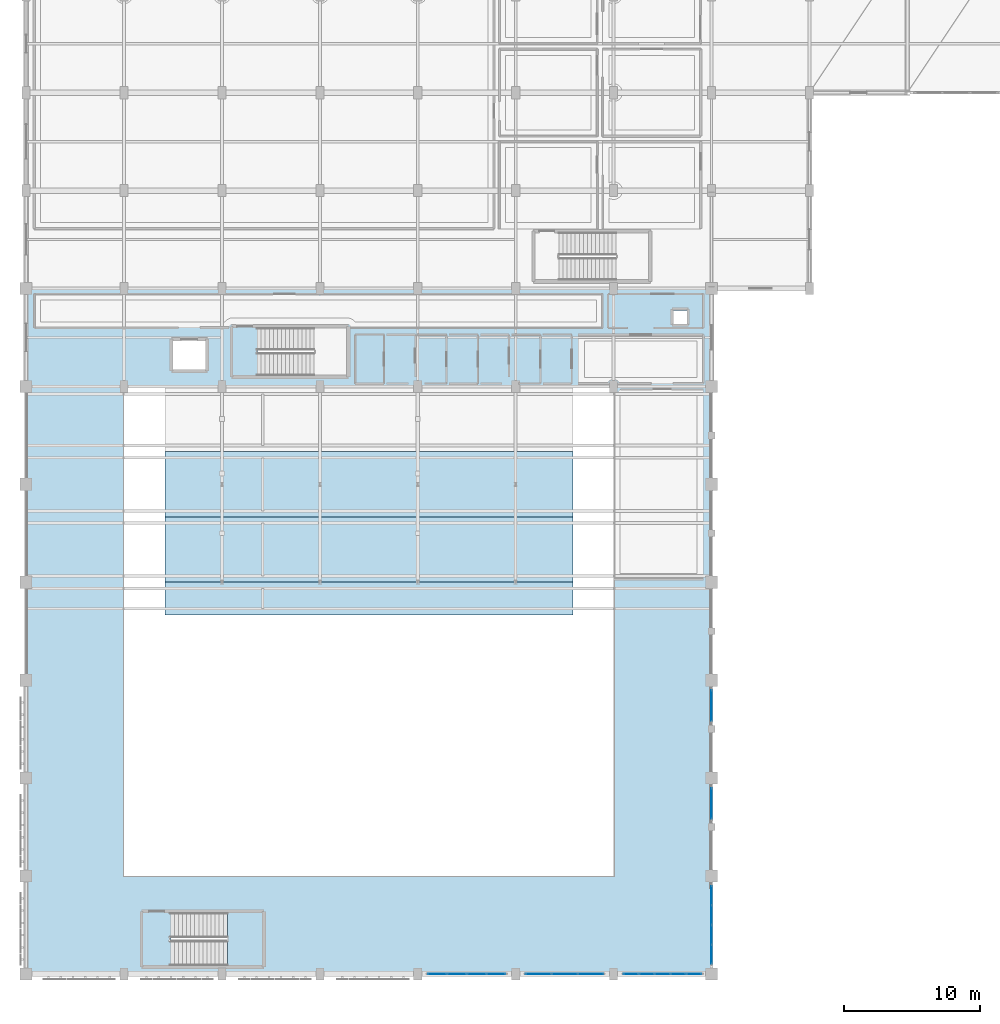
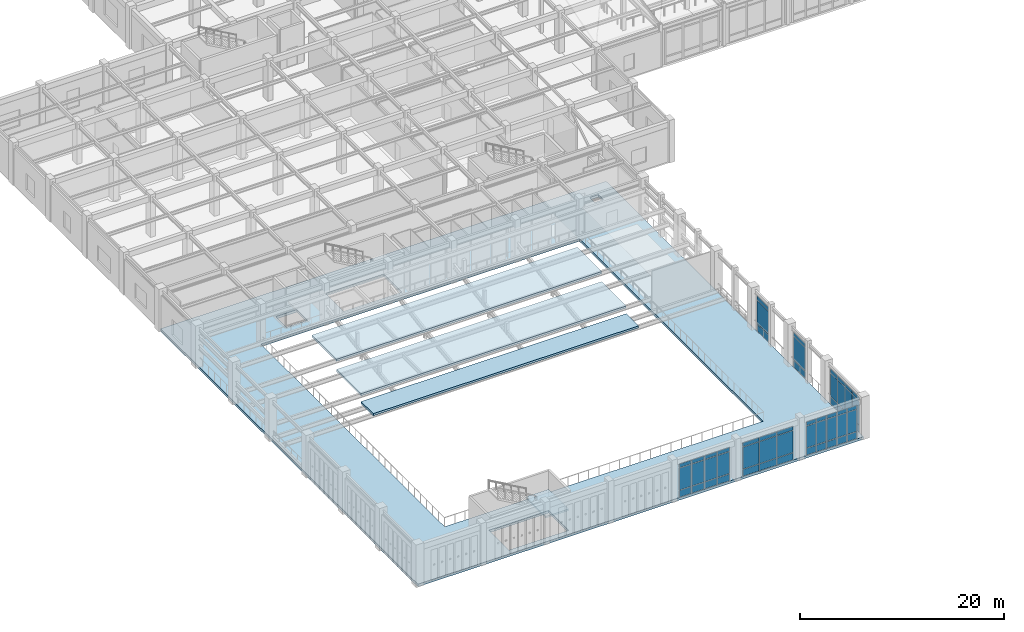
# One storey, part 68 of 117: 54 plates, 5 slabs, 7 elements without a shape of their own.
"""IFC4 building model written with IfcOpenShell, lengths in metres."""

from ifc_helpers import new_model, si_unit, direction, frame, origin, origin_2d, place, context, subcontext, project, spatial, polyline, rectangle, outline, extrude, material, layer, layer_set, type_object, element, aggregate, save


model = new_model("IFC4")

# Units and contexts
model_context = context("Model", 3, precision=1e-05, world=origin(), true_north=direction((0.0, 1.0)))
body_context = subcontext(model_context, "Body", "Model", "MODEL_VIEW")
ifc_project = project(units=[si_unit("LENGTHUNIT", "METRE"), si_unit("AREAUNIT", "SQUARE_METRE"), si_unit("VOLUMEUNIT", "CUBIC_METRE"), si_unit("PLANEANGLEUNIT", "RADIAN"), si_unit("MASSUNIT", "GRAM", prefix="KILO")], contexts=[model_context])

# Site, building, storey
site_placement = place(None, origin())
site = spatial("IfcSite", under=ifc_project, at=site_placement, CompositionType="ELEMENT")
building_placement = place(site_placement, origin())
building = spatial("IfcBuilding", under=site, at=building_placement, Name="Carrowvane Square Congress Hotel", CompositionType="ELEMENT")
storey_placement = place(building_placement, frame((0.0, 0.0, 5.39990234375)))
storey = spatial("IfcBuildingStorey", under=building, at=storey_placement, Name="L01", CompositionType="ELEMENT", Elevation=5.39990234375)

# Curtain wall, plates
ifc_material_1 = material(Name="Anodised aluminium", Category="aluminium")
ifc_layer_1 = layer(ifc_material_1, 0.221923828125)
ifc_layer_set_1 = layer_set([ifc_layer_1], Name="Anodised aluminium")
curtain_wall_type_1 = type_object("IfcCurtainWallType", Name="CW-SYS-6", PredefinedType="NOTDEFINED", material=ifc_layer_set_1)
curtain_wall_1_placement = place(storey_placement, origin())
curtain_wall_1 = element("IfcCurtainWall", 1, at=curtain_wall_1_placement, inside=storey, type_object=curtain_wall_type_1, Name="L01 unitised curtain wall 125", PredefinedType="NOTDEFINED")
ifc_material_2 = material(Name="Double-glazed low-E glass", Category="glass")
ifc_layer_2 = layer(ifc_material_2, 0.028076171875)
ifc_layer_set_2 = layer_set([ifc_layer_2], Name="Double-glazed low-E glass")
plate_type_1 = type_object("IfcPlateType", Name="CW-PAN-1", PredefinedType="CURTAIN_PANEL", material=ifc_layer_set_2)
plate_1_placement = place(storey_placement, frame((62.0, 17.925048828125, 0.070068359375), z_axis=(0.0, 0.0, 1.0), x_axis=(0.0, -1.0, 0.0)))
plate_1 = element("IfcPlate", 2, at=plate_1_placement, type_object=plate_type_1, Name="CW-6 panel 1.1", PredefinedType="CURTAIN_PANEL", context=body_context, shape_type="SweptSolid", body=[
    extrude(rectangle(XDim=2.22998046875, YDim=0.028076171875, at=origin_2d()), origin(), (0.0, 0.0, 1.0), 0.794921875),
])
plate_2_placement = place(storey_placement, frame((62.0, 17.925048828125, 0.93505859375), z_axis=(0.0, 0.0, 1.0), x_axis=(0.0, -1.0, 0.0)))
plate_2 = element("IfcPlate", 3, at=plate_2_placement, type_object=plate_type_1, Name="CW-6 panel 1.2", PredefinedType="CURTAIN_PANEL", context=body_context, shape_type="SweptSolid", body=[
    extrude(rectangle(XDim=2.22998046875, YDim=0.028076171875, at=origin_2d()), origin(), (0.0, 0.0, 1.0), 2.784912109375),
])
plate_3_placement = place(storey_placement, frame((62.0, 17.925048828125, 3.7900390625), z_axis=(0.0, 0.0, 1.0), x_axis=(0.0, -1.0, 0.0)))
plate_3 = element("IfcPlate", 4, at=plate_3_placement, type_object=plate_type_1, Name="CW-6 panel 1.3", PredefinedType="CURTAIN_PANEL", context=body_context, shape_type="SweptSolid", body=[
    extrude(rectangle(XDim=2.22998046875, YDim=0.028076171875, at=origin_2d()), origin(), (0.0, 0.0, 1.0), 0.445068359375),
])
aggregate(curtain_wall_1, [plate_1, plate_2, plate_3])

ifc_material_3 = material(Name="Anodised aluminium", Category="aluminium")
ifc_layer_3 = layer(ifc_material_3, 0.23388671875)
ifc_layer_set_3 = layer_set([ifc_layer_3], Name="Anodised aluminium")
curtain_wall_type_2 = type_object("IfcCurtainWallType", Name="CW-SYS-7", PredefinedType="NOTDEFINED", material=ifc_layer_set_3)
curtain_wall_2_placement = place(storey_placement, origin())
curtain_wall_2 = element("IfcCurtainWall", 5, at=curtain_wall_2_placement, inside=storey, type_object=curtain_wall_type_2, Name="L01 unitised curtain wall 126", PredefinedType="NOTDEFINED")
ifc_material_4 = material(Name="Double-glazed low-E glass", Category="glass")
ifc_layer_4 = layer(ifc_material_4, 0.031982421875)
ifc_layer_set_4 = layer_set([ifc_layer_4], Name="Double-glazed low-E glass")
plate_type_2 = type_object("IfcPlateType", Name="CW-PAN-2", PredefinedType="CURTAIN_PANEL", material=ifc_layer_set_4)
plate_4_placement = place(storey_placement, frame((62.0, 11.16748046875, 0.06005859375), z_axis=(0.0, 0.0, 1.0), x_axis=(0.0, -1.0, 0.0)))
plate_4 = element("IfcPlate", 6, at=plate_4_placement, type_object=plate_type_2, Name="CW-7 panel 1.1", PredefinedType="CURTAIN_PANEL", context=body_context, shape_type="SweptSolid", body=[
    extrude(rectangle(XDim=1.364990234375, YDim=0.031982421875, at=origin_2d()), origin(), (0.0, 0.0, 1.0), 0.81005859375),
])
plate_5_placement = place(storey_placement, frame((62.0, 11.16748046875, 0.93017578125), z_axis=(0.0, 0.0, 1.0), x_axis=(0.0, -1.0, 0.0)))
plate_5 = element("IfcPlate", 7, at=plate_5_placement, type_object=plate_type_2, Name="CW-7 panel 1.2", PredefinedType="CURTAIN_PANEL", context=body_context, shape_type="SweptSolid", body=[
    extrude(rectangle(XDim=1.364990234375, YDim=0.031982421875, at=origin_2d()), origin(), (0.0, 0.0, 1.0), 2.794921875),
])
plate_6_placement = place(storey_placement, frame((62.0, 11.16748046875, 3.78515625), z_axis=(0.0, 0.0, 1.0), x_axis=(0.0, -1.0, 0.0)))
plate_6 = element("IfcPlate", 8, at=plate_6_placement, type_object=plate_type_2, Name="CW-7 panel 1.3", PredefinedType="CURTAIN_PANEL", context=body_context, shape_type="SweptSolid", body=[
    extrude(rectangle(XDim=1.364990234375, YDim=0.031982421875, at=origin_2d()), origin(), (0.0, 0.0, 1.0), 0.4599609375),
])
plate_7_placement = place(storey_placement, frame((62.0, 9.7275390625, 0.06005859375), z_axis=(0.0, 0.0, 1.0), x_axis=(0.0, -1.0, 0.0)))
plate_7 = element("IfcPlate", 9, at=plate_7_placement, type_object=plate_type_2, Name="CW-7 panel 2.1", PredefinedType="CURTAIN_PANEL", context=body_context, shape_type="SweptSolid", body=[
    extrude(rectangle(XDim=1.39501953125, YDim=0.031982421875, at=origin_2d()), origin(), (0.0, 0.0, 1.0), 0.81005859375),
])
plate_8_placement = place(storey_placement, frame((62.0, 9.7275390625, 0.93017578125), z_axis=(0.0, 0.0, 1.0), x_axis=(0.0, -1.0, 0.0)))
plate_8 = element("IfcPlate", 10, at=plate_8_placement, type_object=plate_type_2, Name="CW-7 panel 2.2", PredefinedType="CURTAIN_PANEL", context=body_context, shape_type="SweptSolid", body=[
    extrude(rectangle(XDim=1.39501953125, YDim=0.031982421875, at=origin_2d()), origin(), (0.0, 0.0, 1.0), 2.794921875),
])
plate_9_placement = place(storey_placement, frame((62.0, 9.7275390625, 3.78515625), z_axis=(0.0, 0.0, 1.0), x_axis=(0.0, -1.0, 0.0)))
plate_9 = element("IfcPlate", 11, at=plate_9_placement, type_object=plate_type_2, Name="CW-7 panel 2.3", PredefinedType="CURTAIN_PANEL", context=body_context, shape_type="SweptSolid", body=[
    extrude(rectangle(XDim=1.39501953125, YDim=0.031982421875, at=origin_2d()), origin(), (0.0, 0.0, 1.0), 0.4599609375),
])
plate_10_placement = place(storey_placement, frame((62.0, 8.2724609375, 0.06005859375), z_axis=(0.0, 0.0, 1.0), x_axis=(0.0, -1.0, 0.0)))
plate_10 = element("IfcPlate", 12, at=plate_10_placement, type_object=plate_type_2, Name="CW-7 panel 3.1", PredefinedType="CURTAIN_PANEL", context=body_context, shape_type="SweptSolid", body=[
    extrude(rectangle(XDim=1.39501953125, YDim=0.031982421875, at=origin_2d()), origin(), (0.0, 0.0, 1.0), 0.81005859375),
])
plate_11_placement = place(storey_placement, frame((62.0, 8.2724609375, 0.93017578125), z_axis=(0.0, 0.0, 1.0), x_axis=(0.0, -1.0, 0.0)))
plate_11 = element("IfcPlate", 13, at=plate_11_placement, type_object=plate_type_2, Name="CW-7 panel 3.2", PredefinedType="CURTAIN_PANEL", context=body_context, shape_type="SweptSolid", body=[
    extrude(rectangle(XDim=1.39501953125, YDim=0.031982421875, at=origin_2d()), origin(), (0.0, 0.0, 1.0), 2.794921875),
])
plate_12_placement = place(storey_placement, frame((62.0, 8.2724609375, 3.78515625), z_axis=(0.0, 0.0, 1.0), x_axis=(0.0, -1.0, 0.0)))
plate_12 = element("IfcPlate", 14, at=plate_12_placement, type_object=plate_type_2, Name="CW-7 panel 3.3", PredefinedType="CURTAIN_PANEL", context=body_context, shape_type="SweptSolid", body=[
    extrude(rectangle(XDim=1.39501953125, YDim=0.031982421875, at=origin_2d()), origin(), (0.0, 0.0, 1.0), 0.4599609375),
])
plate_13_placement = place(storey_placement, frame((62.0, 6.83251953125, 0.06005859375), z_axis=(0.0, 0.0, 1.0), x_axis=(0.0, -1.0, 0.0)))
plate_13 = element("IfcPlate", 15, at=plate_13_placement, type_object=plate_type_2, Name="CW-7 panel 4.1", PredefinedType="CURTAIN_PANEL", context=body_context, shape_type="SweptSolid", body=[
    extrude(rectangle(XDim=1.364990234375, YDim=0.031982421875, at=origin_2d()), origin(), (0.0, 0.0, 1.0), 0.81005859375),
])
plate_14_placement = place(storey_placement, frame((62.0, 6.83251953125, 0.93017578125), z_axis=(0.0, 0.0, 1.0), x_axis=(0.0, -1.0, 0.0)))
plate_14 = element("IfcPlate", 16, at=plate_14_placement, type_object=plate_type_2, Name="CW-7 panel 4.2", PredefinedType="CURTAIN_PANEL", context=body_context, shape_type="SweptSolid", body=[
    extrude(rectangle(XDim=1.364990234375, YDim=0.031982421875, at=origin_2d()), origin(), (0.0, 0.0, 1.0), 2.794921875),
])
plate_15_placement = place(storey_placement, frame((62.0, 6.83251953125, 3.78515625), z_axis=(0.0, 0.0, 1.0), x_axis=(0.0, -1.0, 0.0)))
plate_15 = element("IfcPlate", 17, at=plate_15_placement, type_object=plate_type_2, Name="CW-7 panel 4.3", PredefinedType="CURTAIN_PANEL", context=body_context, shape_type="SweptSolid", body=[
    extrude(rectangle(XDim=1.364990234375, YDim=0.031982421875, at=origin_2d()), origin(), (0.0, 0.0, 1.0), 0.4599609375),
])
aggregate(curtain_wall_2, [plate_4, plate_5, plate_6, plate_7, plate_8, plate_9, plate_10, plate_11, plate_12, plate_13, plate_14, plate_15])

ifc_material_5 = material(Name="Anodised aluminium", Category="aluminium")
ifc_layer_5 = layer(ifc_material_5, 0.24609375)
ifc_layer_set_5 = layer_set([ifc_layer_5], Name="Anodised aluminium")
curtain_wall_type_3 = type_object("IfcCurtainWallType", Name="CW-SYS-8", PredefinedType="NOTDEFINED", material=ifc_layer_set_5)
curtain_wall_3_placement = place(storey_placement, origin())
curtain_wall_3 = element("IfcCurtainWall", 18, at=curtain_wall_3_placement, inside=storey, type_object=curtain_wall_type_3, Name="L01 unitised curtain wall 127", PredefinedType="NOTDEFINED")
ifc_material_6 = material(Name="Double-glazed low-E glass", Category="glass")
ifc_layer_6 = layer(ifc_material_6, 0.035888671875)
ifc_layer_set_6 = layer_set([ifc_layer_6], Name="Double-glazed low-E glass")
plate_type_3 = type_object("IfcPlateType", Name="CW-PAN-3", PredefinedType="CURTAIN_PANEL", material=ifc_layer_set_6)
plate_16_placement = place(storey_placement, frame((60.71044921875, 5.39990234375, 0.070068359375), z_axis=(0.0, 0.0, 1.0), x_axis=(-1.0, 0.0, 0.0)))
plate_16 = element("IfcPlate", 19, at=plate_16_placement, type_object=plate_type_3, Name="CW-8 panel 1.1", PredefinedType="CURTAIN_PANEL", context=body_context, shape_type="SweptSolid", body=[
    extrude(rectangle(XDim=1.05908203125, YDim=0.035888671875, at=origin_2d()), origin(), (0.0, 0.0, 1.0), 0.794921875),
])
plate_17_placement = place(storey_placement, frame((60.71044921875, 5.39990234375, 0.93505859375), z_axis=(0.0, 0.0, 1.0), x_axis=(-1.0, 0.0, 0.0)))
plate_17 = element("IfcPlate", 20, at=plate_17_placement, type_object=plate_type_3, Name="CW-8 panel 1.2", PredefinedType="CURTAIN_PANEL", context=body_context, shape_type="SweptSolid", body=[
    extrude(rectangle(XDim=1.05908203125, YDim=0.035888671875, at=origin_2d()), origin(), (0.0, 0.0, 1.0), 2.594970703125),
])
plate_18_placement = place(storey_placement, frame((60.71044921875, 5.39990234375, 3.60009765625), z_axis=(0.0, 0.0, 1.0), x_axis=(-1.0, 0.0, 0.0)))
plate_18 = element("IfcPlate", 21, at=plate_18_placement, type_object=plate_type_3, Name="CW-8 panel 1.3", PredefinedType="CURTAIN_PANEL", context=body_context, shape_type="SweptSolid", body=[
    extrude(rectangle(XDim=1.05908203125, YDim=0.035888671875, at=origin_2d()), origin(), (0.0, 0.0, 1.0), 0.445068359375),
])
plate_19_placement = place(storey_placement, frame((59.56396484375, 5.39990234375, 0.070068359375), z_axis=(0.0, 0.0, 1.0), x_axis=(-1.0, 0.0, 0.0)))
plate_19 = element("IfcPlate", 22, at=plate_19_placement, type_object=plate_type_3, Name="CW-8 panel 2.1", PredefinedType="CURTAIN_PANEL", context=body_context, shape_type="SweptSolid", body=[
    extrude(rectangle(XDim=1.093994140625, YDim=0.035888671875, at=origin_2d()), origin(), (0.0, 0.0, 1.0), 0.794921875),
])
plate_20_placement = place(storey_placement, frame((59.56396484375, 5.39990234375, 0.93505859375), z_axis=(0.0, 0.0, 1.0), x_axis=(-1.0, 0.0, 0.0)))
plate_20 = element("IfcPlate", 23, at=plate_20_placement, type_object=plate_type_3, Name="CW-8 panel 2.2", PredefinedType="CURTAIN_PANEL", context=body_context, shape_type="SweptSolid", body=[
    extrude(rectangle(XDim=1.093994140625, YDim=0.035888671875, at=origin_2d()), origin(), (0.0, 0.0, 1.0), 2.594970703125),
])
plate_21_placement = place(storey_placement, frame((59.56396484375, 5.39990234375, 3.60009765625), z_axis=(0.0, 0.0, 1.0), x_axis=(-1.0, 0.0, 0.0)))
plate_21 = element("IfcPlate", 24, at=plate_21_placement, type_object=plate_type_3, Name="CW-8 panel 2.3", PredefinedType="CURTAIN_PANEL", context=body_context, shape_type="SweptSolid", body=[
    extrude(rectangle(XDim=1.093994140625, YDim=0.035888671875, at=origin_2d()), origin(), (0.0, 0.0, 1.0), 0.445068359375),
])
plate_22_placement = place(storey_placement, frame((58.39990234375, 5.39990234375, 0.070068359375), z_axis=(0.0, 0.0, 1.0), x_axis=(-1.0, 0.0, 0.0)))
plate_22 = element("IfcPlate", 25, at=plate_22_placement, type_object=plate_type_3, Name="CW-8 panel 3.1", PredefinedType="CURTAIN_PANEL", context=body_context, shape_type="SweptSolid", body=[
    extrude(rectangle(XDim=1.093994140625, YDim=0.035888671875, at=origin_2d()), origin(), (0.0, 0.0, 1.0), 0.794921875),
])
plate_23_placement = place(storey_placement, frame((58.39990234375, 5.39990234375, 0.93505859375), z_axis=(0.0, 0.0, 1.0), x_axis=(-1.0, 0.0, 0.0)))
plate_23 = element("IfcPlate", 26, at=plate_23_placement, type_object=plate_type_3, Name="CW-8 panel 3.2", PredefinedType="CURTAIN_PANEL", context=body_context, shape_type="SweptSolid", body=[
    extrude(rectangle(XDim=1.093994140625, YDim=0.035888671875, at=origin_2d()), origin(), (0.0, 0.0, 1.0), 2.594970703125),
])
plate_24_placement = place(storey_placement, frame((58.39990234375, 5.39990234375, 3.60009765625), z_axis=(0.0, 0.0, 1.0), x_axis=(-1.0, 0.0, 0.0)))
plate_24 = element("IfcPlate", 27, at=plate_24_placement, type_object=plate_type_3, Name="CW-8 panel 3.3", PredefinedType="CURTAIN_PANEL", context=body_context, shape_type="SweptSolid", body=[
    extrude(rectangle(XDim=1.093994140625, YDim=0.035888671875, at=origin_2d()), origin(), (0.0, 0.0, 1.0), 0.445068359375),
])
plate_25_placement = place(storey_placement, frame((57.236083984375, 5.39990234375, 0.070068359375), z_axis=(0.0, 0.0, 1.0), x_axis=(-1.0, 0.0, 0.0)))
plate_25 = element("IfcPlate", 28, at=plate_25_placement, type_object=plate_type_3, Name="CW-8 panel 4.1", PredefinedType="CURTAIN_PANEL", context=body_context, shape_type="SweptSolid", body=[
    extrude(rectangle(XDim=1.093994140625, YDim=0.035888671875, at=origin_2d()), origin(), (0.0, 0.0, 1.0), 0.794921875),
])
plate_26_placement = place(storey_placement, frame((57.236083984375, 5.39990234375, 0.93505859375), z_axis=(0.0, 0.0, 1.0), x_axis=(-1.0, 0.0, 0.0)))
plate_26 = element("IfcPlate", 29, at=plate_26_placement, type_object=plate_type_3, Name="CW-8 panel 4.2", PredefinedType="CURTAIN_PANEL", context=body_context, shape_type="SweptSolid", body=[
    extrude(rectangle(XDim=1.093994140625, YDim=0.035888671875, at=origin_2d()), origin(), (0.0, 0.0, 1.0), 2.594970703125),
])
plate_27_placement = place(storey_placement, frame((57.236083984375, 5.39990234375, 3.60009765625), z_axis=(0.0, 0.0, 1.0), x_axis=(-1.0, 0.0, 0.0)))
plate_27 = element("IfcPlate", 30, at=plate_27_placement, type_object=plate_type_3, Name="CW-8 panel 4.3", PredefinedType="CURTAIN_PANEL", context=body_context, shape_type="SweptSolid", body=[
    extrude(rectangle(XDim=1.093994140625, YDim=0.035888671875, at=origin_2d()), origin(), (0.0, 0.0, 1.0), 0.445068359375),
])
plate_28_placement = place(storey_placement, frame((56.089599609375, 5.39990234375, 0.070068359375), z_axis=(0.0, 0.0, 1.0), x_axis=(-1.0, 0.0, 0.0)))
plate_28 = element("IfcPlate", 31, at=plate_28_placement, type_object=plate_type_3, Name="CW-8 panel 5.1", PredefinedType="CURTAIN_PANEL", context=body_context, shape_type="SweptSolid", body=[
    extrude(rectangle(XDim=1.05908203125, YDim=0.035888671875, at=origin_2d()), origin(), (0.0, 0.0, 1.0), 0.794921875),
])
plate_29_placement = place(storey_placement, frame((56.089599609375, 5.39990234375, 0.93505859375), z_axis=(0.0, 0.0, 1.0), x_axis=(-1.0, 0.0, 0.0)))
plate_29 = element("IfcPlate", 32, at=plate_29_placement, type_object=plate_type_3, Name="CW-8 panel 5.2", PredefinedType="CURTAIN_PANEL", context=body_context, shape_type="SweptSolid", body=[
    extrude(rectangle(XDim=1.05908203125, YDim=0.035888671875, at=origin_2d()), origin(), (0.0, 0.0, 1.0), 2.594970703125),
])
plate_30_placement = place(storey_placement, frame((56.089599609375, 5.39990234375, 3.60009765625), z_axis=(0.0, 0.0, 1.0), x_axis=(-1.0, 0.0, 0.0)))
plate_30 = element("IfcPlate", 33, at=plate_30_placement, type_object=plate_type_3, Name="CW-8 panel 5.3", PredefinedType="CURTAIN_PANEL", context=body_context, shape_type="SweptSolid", body=[
    extrude(rectangle(XDim=1.05908203125, YDim=0.035888671875, at=origin_2d()), origin(), (0.0, 0.0, 1.0), 0.445068359375),
])
aggregate(curtain_wall_3, [plate_16, plate_17, plate_18, plate_19, plate_20, plate_21, plate_22, plate_23, plate_24, plate_25, plate_26, plate_27, plate_28, plate_29, plate_30])

ifc_material_7 = material(Name="Anodised aluminium", Category="aluminium")
ifc_layer_7 = layer(ifc_material_7, 0.162109375)
ifc_layer_set_7 = layer_set([ifc_layer_7], Name="Anodised aluminium")
curtain_wall_type_4 = type_object("IfcCurtainWallType", Name="CW-SYS-1", PredefinedType="NOTDEFINED", material=ifc_layer_set_7)
curtain_wall_4_placement = place(storey_placement, origin())
curtain_wall_4 = element("IfcCurtainWall", 34, at=curtain_wall_4_placement, inside=storey, type_object=curtain_wall_type_4, Name="L01 unitised curtain wall 128", PredefinedType="NOTDEFINED")
ifc_material_8 = material(Name="Double-glazed low-E glass", Category="glass")
ifc_layer_8 = layer(ifc_material_8, 0.0419921875)
ifc_layer_set_8 = layer_set([ifc_layer_8], Name="Double-glazed low-E glass")
plate_type_4 = type_object("IfcPlateType", Name="CW-PAN-4", PredefinedType="CURTAIN_PANEL", material=ifc_layer_set_8)
plate_31_placement = place(storey_placement, frame((53.125, 5.39990234375, 0.06005859375), z_axis=(0.0, 0.0, 1.0), x_axis=(-1.0, 0.0, 0.0)))
plate_31 = element("IfcPlate", 35, at=plate_31_placement, type_object=plate_type_4, Name="CW-1 panel 1.1", PredefinedType="CURTAIN_PANEL", context=body_context, shape_type="SweptSolid", body=[
    extrude(rectangle(XDim=1.85009765625, YDim=0.0419921875, at=origin_2d()), origin(), (0.0, 0.0, 1.0), 0.81005859375),
])
plate_32_placement = place(storey_placement, frame((53.125, 5.39990234375, 0.93017578125), z_axis=(0.0, 0.0, 1.0), x_axis=(-1.0, 0.0, 0.0)))
plate_32 = element("IfcPlate", 36, at=plate_32_placement, type_object=plate_type_4, Name="CW-1 panel 1.2", PredefinedType="CURTAIN_PANEL", context=body_context, shape_type="SweptSolid", body=[
    extrude(rectangle(XDim=1.85009765625, YDim=0.0419921875, at=origin_2d()), origin(), (0.0, 0.0, 1.0), 2.60498046875),
])
plate_33_placement = place(storey_placement, frame((53.125, 5.39990234375, 3.59521484375), z_axis=(0.0, 0.0, 1.0), x_axis=(-1.0, 0.0, 0.0)))
plate_33 = element("IfcPlate", 37, at=plate_33_placement, type_object=plate_type_4, Name="CW-1 panel 1.3", PredefinedType="CURTAIN_PANEL", context=body_context, shape_type="SweptSolid", body=[
    extrude(rectangle(XDim=1.85009765625, YDim=0.0419921875, at=origin_2d()), origin(), (0.0, 0.0, 1.0), 0.4599609375),
])
plate_34_placement = place(storey_placement, frame((51.199951171875, 5.39990234375, 0.06005859375), z_axis=(0.0, 0.0, 1.0), x_axis=(-1.0, 0.0, 0.0)))
plate_34 = element("IfcPlate", 38, at=plate_34_placement, type_object=plate_type_4, Name="CW-1 panel 2.1", PredefinedType="CURTAIN_PANEL", context=body_context, shape_type="SweptSolid", body=[
    extrude(rectangle(XDim=1.8798828125, YDim=0.0419921875, at=origin_2d()), origin(), (0.0, 0.0, 1.0), 0.81005859375),
])
plate_35_placement = place(storey_placement, frame((51.199951171875, 5.39990234375, 0.93017578125), z_axis=(0.0, 0.0, 1.0), x_axis=(-1.0, 0.0, 0.0)))
plate_35 = element("IfcPlate", 39, at=plate_35_placement, type_object=plate_type_4, Name="CW-1 panel 2.2", PredefinedType="CURTAIN_PANEL", context=body_context, shape_type="SweptSolid", body=[
    extrude(rectangle(XDim=1.8798828125, YDim=0.0419921875, at=origin_2d()), origin(), (0.0, 0.0, 1.0), 2.60498046875),
])
plate_36_placement = place(storey_placement, frame((51.199951171875, 5.39990234375, 3.59521484375), z_axis=(0.0, 0.0, 1.0), x_axis=(-1.0, 0.0, 0.0)))
plate_36 = element("IfcPlate", 40, at=plate_36_placement, type_object=plate_type_4, Name="CW-1 panel 2.3", PredefinedType="CURTAIN_PANEL", context=body_context, shape_type="SweptSolid", body=[
    extrude(rectangle(XDim=1.8798828125, YDim=0.0419921875, at=origin_2d()), origin(), (0.0, 0.0, 1.0), 0.4599609375),
])
plate_37_placement = place(storey_placement, frame((49.27490234375, 5.39990234375, 0.06005859375), z_axis=(0.0, 0.0, 1.0), x_axis=(-1.0, 0.0, 0.0)))
plate_37 = element("IfcPlate", 41, at=plate_37_placement, type_object=plate_type_4, Name="CW-1 panel 3.1", PredefinedType="CURTAIN_PANEL", context=body_context, shape_type="SweptSolid", body=[
    extrude(rectangle(XDim=1.85009765625, YDim=0.0419921875, at=origin_2d()), origin(), (0.0, 0.0, 1.0), 0.81005859375),
])
plate_38_placement = place(storey_placement, frame((49.27490234375, 5.39990234375, 0.93017578125), z_axis=(0.0, 0.0, 1.0), x_axis=(-1.0, 0.0, 0.0)))
plate_38 = element("IfcPlate", 42, at=plate_38_placement, type_object=plate_type_4, Name="CW-1 panel 3.2", PredefinedType="CURTAIN_PANEL", context=body_context, shape_type="SweptSolid", body=[
    extrude(rectangle(XDim=1.85009765625, YDim=0.0419921875, at=origin_2d()), origin(), (0.0, 0.0, 1.0), 2.60498046875),
])
plate_39_placement = place(storey_placement, frame((49.27490234375, 5.39990234375, 3.59521484375), z_axis=(0.0, 0.0, 1.0), x_axis=(-1.0, 0.0, 0.0)))
plate_39 = element("IfcPlate", 43, at=plate_39_placement, type_object=plate_type_4, Name="CW-1 panel 3.3", PredefinedType="CURTAIN_PANEL", context=body_context, shape_type="SweptSolid", body=[
    extrude(rectangle(XDim=1.85009765625, YDim=0.0419921875, at=origin_2d()), origin(), (0.0, 0.0, 1.0), 0.4599609375),
])
aggregate(curtain_wall_4, [plate_31, plate_32, plate_33, plate_34, plate_35, plate_36, plate_37, plate_38, plate_39])

ifc_material_9 = material(Name="Anodised aluminium", Category="aluminium")
ifc_layer_9 = layer(ifc_material_9, 0.2099609375)
ifc_layer_set_9 = layer_set([ifc_layer_9], Name="Anodised aluminium")
curtain_wall_type_5 = type_object("IfcCurtainWallType", Name="CW-SYS-5", PredefinedType="NOTDEFINED", material=ifc_layer_set_9)
curtain_wall_5_placement = place(storey_placement, origin())
curtain_wall_5 = element("IfcCurtainWall", 44, at=curtain_wall_5_placement, inside=storey, type_object=curtain_wall_type_5, Name="L01 unitised curtain wall 124", PredefinedType="NOTDEFINED")
ifc_material_10 = material(Name="Double-glazed low-E glass", Category="glass")
ifc_layer_10 = layer(ifc_material_10, 0.048095703125)
ifc_layer_set_10 = layer_set([ifc_layer_10], Name="Double-glazed low-E glass")
plate_type_5 = type_object("IfcPlateType", Name="CW-PAN-5", PredefinedType="CURTAIN_PANEL", material=ifc_layer_set_10)
plate_40_placement = place(storey_placement, frame((62.0, 25.125, 0.06005859375), z_axis=(0.0, 0.0, 1.0), x_axis=(0.0, -1.0, 0.0)))
plate_40 = element("IfcPlate", 45, at=plate_40_placement, type_object=plate_type_5, Name="CW-5 panel 1.1", PredefinedType="CURTAIN_PANEL", context=body_context, shape_type="SweptSolid", body=[
    extrude(rectangle(XDim=2.25, YDim=0.048095703125, at=origin_2d()), origin(), (0.0, 0.0, 1.0), 0.81005859375),
])
plate_41_placement = place(storey_placement, frame((62.0, 25.125, 0.93017578125), z_axis=(0.0, 0.0, 1.0), x_axis=(0.0, -1.0, 0.0)))
plate_41 = element("IfcPlate", 46, at=plate_41_placement, type_object=plate_type_5, Name="CW-5 panel 1.2", PredefinedType="CURTAIN_PANEL", context=body_context, shape_type="SweptSolid", body=[
    extrude(rectangle(XDim=2.25, YDim=0.048095703125, at=origin_2d()), origin(), (0.0, 0.0, 1.0), 2.794921875),
])
plate_42_placement = place(storey_placement, frame((62.0, 25.125, 3.78515625), z_axis=(0.0, 0.0, 1.0), x_axis=(0.0, -1.0, 0.0)))
plate_42 = element("IfcPlate", 47, at=plate_42_placement, type_object=plate_type_5, Name="CW-5 panel 1.3", PredefinedType="CURTAIN_PANEL", context=body_context, shape_type="SweptSolid", body=[
    extrude(rectangle(XDim=2.25, YDim=0.048095703125, at=origin_2d()), origin(), (0.0, 0.0, 1.0), 0.4599609375),
])
aggregate(curtain_wall_5, [plate_40, plate_41, plate_42])

ifc_material_11 = material(Name="Anodised aluminium", Category="aluminium")
ifc_layer_11 = layer(ifc_material_11, 0.174072265625)
ifc_layer_set_11 = layer_set([ifc_layer_11], Name="Anodised aluminium")
curtain_wall_type_6 = type_object("IfcCurtainWallType", Name="CW-SYS-2", PredefinedType="NOTDEFINED", material=ifc_layer_set_11)
curtain_wall_6_placement = place(storey_placement, origin())
curtain_wall_6 = element("IfcCurtainWall", 48, at=curtain_wall_6_placement, inside=storey, type_object=curtain_wall_type_6, Name="L01 unitised curtain wall 129", PredefinedType="NOTDEFINED")
plate_43_placement = place(storey_placement, frame((46.1650390625, 5.39990234375, 0.070068359375), z_axis=(0.0, 0.0, 1.0), x_axis=(-1.0, 0.0, 0.0)))
plate_43 = element("IfcPlate", 49, at=plate_43_placement, type_object=plate_type_5, Name="CW-2 panel 1.1", PredefinedType="CURTAIN_PANEL", context=body_context, shape_type="SweptSolid", body=[
    extrude(rectangle(XDim=1.35009765625, YDim=0.048095703125, at=origin_2d()), origin(), (0.0, 0.0, 1.0), 0.794921875),
])
plate_44_placement = place(storey_placement, frame((46.1650390625, 5.39990234375, 0.93505859375), z_axis=(0.0, 0.0, 1.0), x_axis=(-1.0, 0.0, 0.0)))
plate_44 = element("IfcPlate", 50, at=plate_44_placement, type_object=plate_type_5, Name="CW-2 panel 1.2", PredefinedType="CURTAIN_PANEL", context=body_context, shape_type="SweptSolid", body=[
    extrude(rectangle(XDim=1.35009765625, YDim=0.048095703125, at=origin_2d()), origin(), (0.0, 0.0, 1.0), 2.594970703125),
])
plate_45_placement = place(storey_placement, frame((46.1650390625, 5.39990234375, 3.60009765625), z_axis=(0.0, 0.0, 1.0), x_axis=(-1.0, 0.0, 0.0)))
plate_45 = element("IfcPlate", 51, at=plate_45_placement, type_object=plate_type_5, Name="CW-2 panel 1.3", PredefinedType="CURTAIN_PANEL", context=body_context, shape_type="SweptSolid", body=[
    extrude(rectangle(XDim=1.35009765625, YDim=0.048095703125, at=origin_2d()), origin(), (0.0, 0.0, 1.0), 0.445068359375),
])
plate_46_placement = place(storey_placement, frame((44.7275390625, 5.39990234375, 0.070068359375), z_axis=(0.0, 0.0, 1.0), x_axis=(-1.0, 0.0, 0.0)))
plate_46 = element("IfcPlate", 52, at=plate_46_placement, type_object=plate_type_5, Name="CW-2 panel 2.1", PredefinedType="CURTAIN_PANEL", context=body_context, shape_type="SweptSolid", body=[
    extrude(rectangle(XDim=1.385009765625, YDim=0.048095703125, at=origin_2d()), origin(), (0.0, 0.0, 1.0), 0.794921875),
])
plate_47_placement = place(storey_placement, frame((44.7275390625, 5.39990234375, 0.93505859375), z_axis=(0.0, 0.0, 1.0), x_axis=(-1.0, 0.0, 0.0)))
plate_47 = element("IfcPlate", 53, at=plate_47_placement, type_object=plate_type_5, Name="CW-2 panel 2.2", PredefinedType="CURTAIN_PANEL", context=body_context, shape_type="SweptSolid", body=[
    extrude(rectangle(XDim=1.385009765625, YDim=0.048095703125, at=origin_2d()), origin(), (0.0, 0.0, 1.0), 2.594970703125),
])
plate_48_placement = place(storey_placement, frame((44.7275390625, 5.39990234375, 3.60009765625), z_axis=(0.0, 0.0, 1.0), x_axis=(-1.0, 0.0, 0.0)))
plate_48 = element("IfcPlate", 54, at=plate_48_placement, type_object=plate_type_5, Name="CW-2 panel 2.3", PredefinedType="CURTAIN_PANEL", context=body_context, shape_type="SweptSolid", body=[
    extrude(rectangle(XDim=1.385009765625, YDim=0.048095703125, at=origin_2d()), origin(), (0.0, 0.0, 1.0), 0.445068359375),
])
plate_49_placement = place(storey_placement, frame((43.2724609375, 5.39990234375, 0.070068359375), z_axis=(0.0, 0.0, 1.0), x_axis=(-1.0, 0.0, 0.0)))
plate_49 = element("IfcPlate", 55, at=plate_49_placement, type_object=plate_type_5, Name="CW-2 panel 3.1", PredefinedType="CURTAIN_PANEL", context=body_context, shape_type="SweptSolid", body=[
    extrude(rectangle(XDim=1.385009765625, YDim=0.048095703125, at=origin_2d()), origin(), (0.0, 0.0, 1.0), 0.794921875),
])
plate_50_placement = place(storey_placement, frame((43.2724609375, 5.39990234375, 0.93505859375), z_axis=(0.0, 0.0, 1.0), x_axis=(-1.0, 0.0, 0.0)))
plate_50 = element("IfcPlate", 56, at=plate_50_placement, type_object=plate_type_5, Name="CW-2 panel 3.2", PredefinedType="CURTAIN_PANEL", context=body_context, shape_type="SweptSolid", body=[
    extrude(rectangle(XDim=1.385009765625, YDim=0.048095703125, at=origin_2d()), origin(), (0.0, 0.0, 1.0), 2.594970703125),
])
plate_51_placement = place(storey_placement, frame((43.2724609375, 5.39990234375, 3.60009765625), z_axis=(0.0, 0.0, 1.0), x_axis=(-1.0, 0.0, 0.0)))
plate_51 = element("IfcPlate", 57, at=plate_51_placement, type_object=plate_type_5, Name="CW-2 panel 3.3", PredefinedType="CURTAIN_PANEL", context=body_context, shape_type="SweptSolid", body=[
    extrude(rectangle(XDim=1.385009765625, YDim=0.048095703125, at=origin_2d()), origin(), (0.0, 0.0, 1.0), 0.445068359375),
])
plate_52_placement = place(storey_placement, frame((41.8349609375, 5.39990234375, 0.070068359375), z_axis=(0.0, 0.0, 1.0), x_axis=(-1.0, 0.0, 0.0)))
plate_52 = element("IfcPlate", 58, at=plate_52_placement, type_object=plate_type_5, Name="CW-2 panel 4.1", PredefinedType="CURTAIN_PANEL", context=body_context, shape_type="SweptSolid", body=[
    extrude(rectangle(XDim=1.35009765625, YDim=0.048095703125, at=origin_2d()), origin(), (0.0, 0.0, 1.0), 0.794921875),
])
plate_53_placement = place(storey_placement, frame((41.8349609375, 5.39990234375, 0.93505859375), z_axis=(0.0, 0.0, 1.0), x_axis=(-1.0, 0.0, 0.0)))
plate_53 = element("IfcPlate", 59, at=plate_53_placement, type_object=plate_type_5, Name="CW-2 panel 4.2", PredefinedType="CURTAIN_PANEL", context=body_context, shape_type="SweptSolid", body=[
    extrude(rectangle(XDim=1.35009765625, YDim=0.048095703125, at=origin_2d()), origin(), (0.0, 0.0, 1.0), 2.594970703125),
])
plate_54_placement = place(storey_placement, frame((41.8349609375, 5.39990234375, 3.60009765625), z_axis=(0.0, 0.0, 1.0), x_axis=(-1.0, 0.0, 0.0)))
plate_54 = element("IfcPlate", 60, at=plate_54_placement, type_object=plate_type_5, Name="CW-2 panel 4.3", PredefinedType="CURTAIN_PANEL", context=body_context, shape_type="SweptSolid", body=[
    extrude(rectangle(XDim=1.35009765625, YDim=0.048095703125, at=origin_2d()), origin(), (0.0, 0.0, 1.0), 0.445068359375),
])
aggregate(curtain_wall_6, [plate_43, plate_44, plate_45, plate_46, plate_47, plate_48, plate_49, plate_50, plate_51, plate_52, plate_53, plate_54])

# Slab
ifc_material_12 = material(Name="Concrete C35/45", Category="concrete")
ifc_layer_12 = layer(ifc_material_12, 0.300048828125)
ifc_layer_set_12 = layer_set([ifc_layer_12], Name="Concrete C35/45")
slab_type_1 = type_object("IfcSlabType", Name="SLB-FLR-300", PredefinedType="FLOOR", material=ifc_layer_set_12)
slab_1_placement = place(storey_placement, frame((0.0, 0.0, -0.2998046875)))
element("IfcSlab", 61, at=slab_1_placement, inside=storey, type_object=slab_type_1, Name="L01 V1 structural slab", PredefinedType="FLOOR", context=body_context, shape_type="SweptSolid", body=[
    extrude(outline(polyline([(11.60009765625, 5.39990234375), (62.0, 5.39990234375), (62.0, 55.800048828125), (11.60009765625, 55.800048828125), (11.60009765625, 5.39990234375)]), holes=[polyline([(28.6201171875, 49.39990234375), (35.199951171875, 49.39990234375), (35.199951171875, 52.919921875), (28.6201171875, 52.919921875), (28.6201171875, 49.39990234375)]), polyline([(22.239990234375, 6.0), (29.0, 6.0), (29.0, 9.89990234375), (22.239990234375, 9.89990234375), (22.239990234375, 6.0)]), polyline([(59.199951171875, 53.199951171875), (60.199951171875, 53.199951171875), (60.199951171875, 54.199951171875), (59.199951171875, 54.199951171875), (59.199951171875, 53.199951171875)]), polyline([(22.39990234375, 49.85009765625), (24.800048828125, 49.85009765625), (24.800048828125, 51.949951171875), (22.39990234375, 51.949951171875), (22.39990234375, 49.85009765625)]), polyline([(18.800048828125, 12.60009765625), (54.800048828125, 12.60009765625), (54.800048828125, 48.60009765625), (18.800048828125, 48.60009765625), (18.800048828125, 12.60009765625)])]), origin(), (0.0, 0.0, 1.0), 0.2998046875),
])

# Stair, slab
ifc_material_13 = material(Name="Concrete C35/45", Category="concrete")
stair_type = type_object("IfcStairType", Name="STR-DOG-13", PredefinedType="HALF_TURN_STAIR", material=ifc_material_13)
stair_placement = place(storey_placement, origin())
stair = element("IfcStair", 62, at=stair_placement, inside=storey, type_object=stair_type, Name="L01 Plenary South Assembly Stair", PredefinedType="HALF_TURN_STAIR")
ifc_material_14 = material(Name="Concrete C35/45", Category="concrete")
ifc_layer_13 = layer(ifc_material_14, 0.199951171875)
ifc_layer_set_13 = layer_set([ifc_layer_13], Name="Concrete C35/45")
slab_type_2 = type_object("IfcSlabType", Name="SLB-LND-200", PredefinedType="LANDING", material=ifc_layer_set_13)
slab_2_placement = place(storey_placement, frame((0.0, 0.0, 2.35009765625)))
slab_2 = element("IfcSlab", 63, at=slab_2_placement, type_object=slab_type_2, Name="ST9 landing 1", PredefinedType="LANDING", context=body_context, shape_type="SweptSolid", body=[
    extrude(outline(polyline([(26.39990234375, 6.0), (29.0, 6.0), (29.0, 9.89990234375), (26.39990234375, 9.89990234375), (26.39990234375, 6.0)])), origin(), (0.0, 0.0, 1.0), 0.199951171875),
])
aggregate(stair, [slab_2])

# Slabs
ifc_material_15 = material(Name="Precast concrete C40/50", Category="concrete")
ifc_layer_14 = layer(ifc_material_15, 0.159912109375)
ifc_layer_set_14 = layer_set([ifc_layer_14], Name="Precast concrete C40/50")
slab_type_3 = type_object("IfcSlabType", Name="SLB-TIER-160", PredefinedType="USERDEFINED", material=ifc_layer_set_14)
slab_3_placement = place(storey_placement, frame((0.0, 0.0, 1.5)))
element("IfcSlab", 64, at=slab_3_placement, inside=storey, type_object=slab_type_3, Name="L01 Congress circle seating tier 1", ObjectType="SEATING TIER", PredefinedType="USERDEFINED", context=body_context, shape_type="SweptSolid", body=[
    extrude(outline(polyline([(21.800048828125, 34.199951171875), (51.800048828125, 34.199951171875), (51.800048828125, 39.0), (21.800048828125, 39.0), (21.800048828125, 34.199951171875)])), origin(), (0.0, 0.0, 1.0), 0.25),
])
slab_4_placement = place(storey_placement, frame((0.0, 0.0, 2.7001953125)))
element("IfcSlab", 65, at=slab_4_placement, inside=storey, type_object=slab_type_3, Name="L01 Congress circle seating tier 2", ObjectType="SEATING TIER", PredefinedType="USERDEFINED", context=body_context, shape_type="SweptSolid", body=[
    extrude(outline(polyline([(21.800048828125, 39.0), (51.800048828125, 39.0), (51.800048828125, 43.800048828125), (21.800048828125, 43.800048828125), (21.800048828125, 39.0)])), origin(), (0.0, 0.0, 1.0), 0.25),
])
slab_5_placement = place(storey_placement, frame((0.0, 0.0, 0.570068359375)))
element("IfcSlab", 66, at=slab_5_placement, inside=storey, type_object=slab_type_3, Name="L01 Congress circle seating tier 4", ObjectType="SEATING TIER", PredefinedType="USERDEFINED", context=body_context, shape_type="SweptSolid", body=[
    extrude(outline(polyline([(21.800048828125, 31.800048828125), (51.800048828125, 31.800048828125), (51.800048828125, 34.199951171875), (21.800048828125, 34.199951171875), (21.800048828125, 31.800048828125)])), origin(), (0.0, 0.0, 1.0), 0.25),
])

save(model, "model.ifc")
